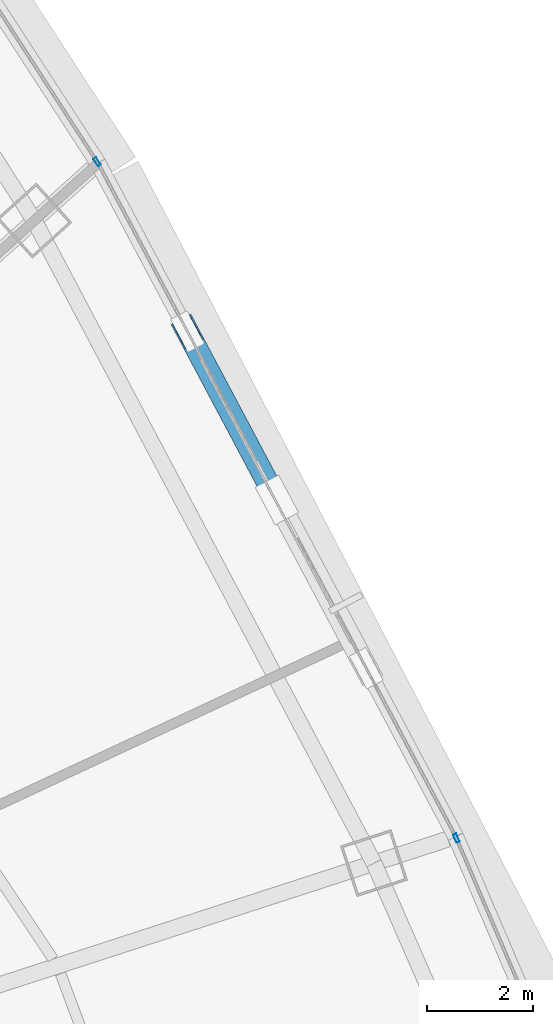
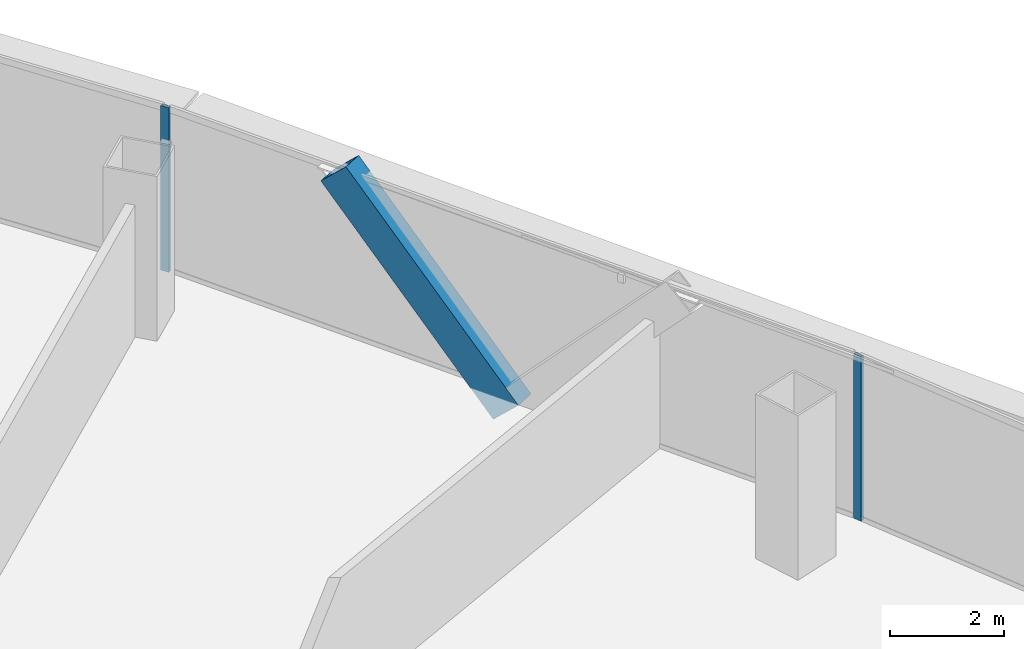
# One storey, part 24 of 36: 3 members, 2 elements without a shape of their own.
"""IFC4 building model written with IfcOpenShell, lengths in metres."""

from ifc_helpers import new_model, si_unit, direction, frame, origin, origin_2d, place, context, subcontext, project, spatial, hollow_rectangle, extrude, source, transform, mapped, material, layer, layer_set, material_profile, profile_set, type_object, element, aggregate, save


model = new_model("IFC4")

# Units and contexts
model_context = context("Model", 3, precision=1e-05, world=origin(), true_north=direction((0.0, 1.0)))
body_context = subcontext(model_context, "Body", "Model", "MODEL_VIEW")
ifc_project = project(units=[si_unit("LENGTHUNIT", "METRE"), si_unit("AREAUNIT", "SQUARE_METRE"), si_unit("VOLUMEUNIT", "CUBIC_METRE"), si_unit("PLANEANGLEUNIT", "RADIAN"), si_unit("MASSUNIT", "GRAM", prefix="KILO"), si_unit("THERMODYNAMICTEMPERATUREUNIT", "KELVIN"), si_unit("POWERUNIT", "WATT")], contexts=[model_context])

# Site, building, storey
site_placement = place(None, origin())
site = spatial("IfcSite", under=ifc_project, at=site_placement, CompositionType="ELEMENT")
building_placement = place(site_placement, origin())
building = spatial("IfcBuilding", under=site, at=building_placement, Name="Yunzhuo Pagoda Commons", CompositionType="ELEMENT")
storey_placement = place(building_placement, frame((0.0, 0.0, 103.97998046875)))
storey = spatial("IfcBuildingStorey", under=building, at=storey_placement, Name="L26", CompositionType="ELEMENT", Elevation=103.97998046875)

# Member
ifc_material_1 = material(Name="Structural steel Q420B", Category="steel")
ifc_material_profile_1 = material_profile(ifc_material_1, hollow_rectangle(XDim=0.419921875, YDim=0.719970703125, WallThickness=0.028076171875, at=origin_2d()), Name="Structural steel Q420B")
ifc_profile_set_1 = profile_set([ifc_material_profile_1], Name="Structural steel Q420B")
member_type_1 = type_object("IfcMemberType", Name="M-DL1 Brace BOX 720x420x28", PredefinedType="BRACE", material=ifc_profile_set_1)
shared_shape_1 = source(origin(), body_context, "Body", "SweptSolid", [
    extrude(hollow_rectangle(XDim=0.419921875, YDim=0.719970703125, WallThickness=0.028076171875, at=origin_2d()), origin(), (0.0, 0.0, 1.0), 5.22412109375),
])
member_1_placement = place(storey_placement, frame((77.164306640625, 50.60009765625, -0.260009765625), z_axis=(-0.321852576358, 0.605991339864, 0.727451314592), x_axis=(-0.883164215531, -0.469063927845, 0.0)))
element("IfcMember", 1, at=member_1_placement, inside=storey, type_object=member_type_1, Name="L26 facade diamond brace F2.2R", PredefinedType="BRACE", context=body_context, shape_type="MappedRepresentation", body=[
    mapped(shared_shape_1, transform((0.0, 0.0, 0.0), scale=1.0)),
])

# Curtain wall, member
ifc_material_2 = material(Name="Anodized aluminium 6063-T6", Category="aluminium")
ifc_layer = layer(ifc_material_2, 0.1650390625)
ifc_layer_set = layer_set([ifc_layer], Name="Anodized aluminium 6063-T6")
curtain_wall_type = type_object("IfcCurtainWallType", Name="CW-LOW Low-Zone Ribbon Curtain Wall", PredefinedType="NOTDEFINED", material=ifc_layer_set)
curtain_wall_1_placement = place(storey_placement, origin())
curtain_wall_1 = element("IfcCurtainWall", 2, at=curtain_wall_1_placement, inside=storey, type_object=curtain_wall_type, Name="L26 curtain wall CW-L26-F2B2", PredefinedType="NOTDEFINED")
ifc_material_profile_2 = material_profile(ifc_material_2, hollow_rectangle(XDim=0.06494140625, YDim=0.1650390625, WallThickness=0.00390625, at=origin_2d()), Name="Anodized aluminium 6063-T6")
ifc_profile_set_2 = profile_set([ifc_material_profile_2], Name="Anodized aluminium 6063-T6")
member_type_2 = type_object("IfcMemberType", Name="CW-LOW-M Mullion RHS 165x65x4", PredefinedType="MULLION", material=ifc_profile_set_2)
shared_shape_2 = source(origin(), body_context, "Body", "SweptSolid", [
    extrude(hollow_rectangle(XDim=0.06494140625, YDim=0.1650390625, WallThickness=0.00390625, at=origin_2d()), origin(), (0.0, 0.0, 1.0), 3.5400390625),
])
member_2_placement = place(storey_placement, frame((80.5400390625, 44.239013671875, 0.000244140625), z_axis=(0.0, 0.0, 1.0), x_axis=(-0.919516302226, -0.39305186673, 0.0)))
member_2 = element("IfcMember", 3, at=member_2_placement, type_object=member_type_2, Name="CW mullion 2", PredefinedType="MULLION", context=body_context, shape_type="MappedRepresentation", body=[
    mapped(shared_shape_2, transform((0.0, 0.0, 0.0), scale=1.0)),
])
aggregate(curtain_wall_1, [member_2])

curtain_wall_2_placement = place(storey_placement, origin())
curtain_wall_2 = element("IfcCurtainWall", 4, at=curtain_wall_2_placement, inside=storey, type_object=curtain_wall_type, Name="L26 curtain wall CW-L26-F2B4", PredefinedType="NOTDEFINED")
member_3_placement = place(storey_placement, frame((73.78369140625, 56.958984375, 0.000244140625), z_axis=(0.0, 0.0, 1.0), x_axis=(-0.839039875799, -0.544069928244, 0.0)))
member_3 = element("IfcMember", 5, at=member_3_placement, type_object=member_type_2, Name="CW mullion 1", PredefinedType="MULLION", context=body_context, shape_type="MappedRepresentation", body=[
    mapped(shared_shape_2, transform((0.0, 0.0, 0.0), scale=1.0)),
])
aggregate(curtain_wall_2, [member_3])

save(model, "model.ifc")
